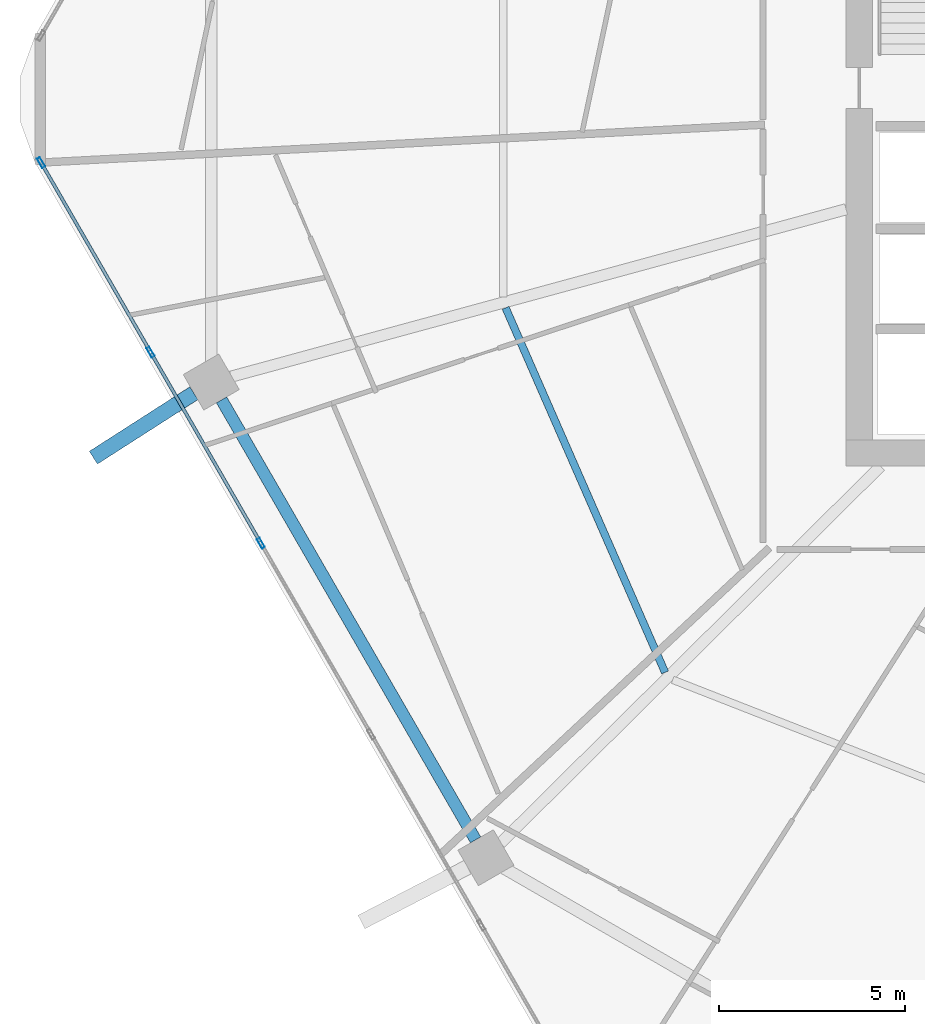
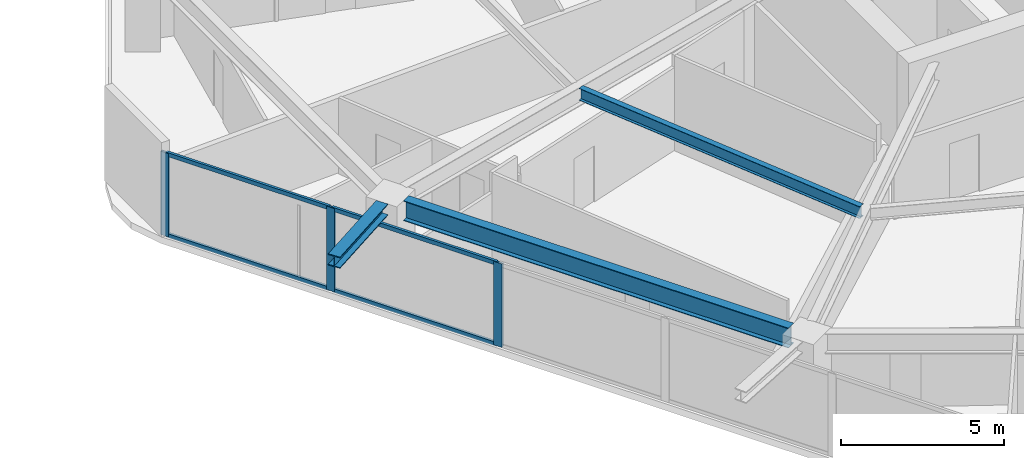
# One storey, part 5 of 33: 7 members, 3 beams, 1 element without a shape of its own.
"""IFC4 building model written with IfcOpenShell, lengths in metres."""

import ifcopenshell
import ifcopenshell.guid

model = None  # the IFC model being written
_history = None  # IfcOwnerHistory: only IFC2X3 demands one
_inside = {}  # id of a spatial element -> (the spatial element, [elements in it])
_under = {}  # id of a project, library or spatial element -> (it, [spatial elements below it])
_declared = {}  # id of a project -> (the project, [libraries it declares])
_typed = {}  # id of a type object -> (the type object, [elements of that type])
_made_of = {}  # id of a material, layer set ... -> (it, [elements and type objects made of it])


def new_model(schema):
    """Start an empty IFC model of exactly this schema.

    Asked for "IFC4X3", IfcOpenShell would pick the latest addendum, in which some entities
    have other attributes; the version numbers below select the first issue.
    IFC2X3 requires an IfcOwnerHistory on every rooted entity: one is made here for all.
    """
    global model, _history
    if schema == "IFC4X3":
        model = ifcopenshell.file(schema_version=(4, 3, 0, 0))
    else:
        model = ifcopenshell.file(schema=schema)
    _inside.clear()
    _under.clear()
    _declared.clear()
    _typed.clear()
    _made_of.clear()
    _history = None
    if model.schema == "IFC2X3":
        org = make("IfcOrganization", Name="unknown")
        user = make(
            "IfcPersonAndOrganization",
            ThePerson=make("IfcPerson", FamilyName="unknown"),
            TheOrganization=org,
        )
        app = make(
            "IfcApplication",
            ApplicationDeveloper=org,
            Version="unknown",
            ApplicationFullName="unknown",
            ApplicationIdentifier="unknown",
        )
        _history = make(
            "IfcOwnerHistory",
            OwningUser=user,
            OwningApplication=app,
            ChangeAction="ADDED",
            CreationDate=0,
        )
    return model


def make(cls, **values):
    """One entity of the class cls with the attributes given. An attribute that is None is left unset."""
    return model.create_entity(
        cls, **{name: value for name, value in values.items() if value is not None}
    )


def rooted(cls, **values):
    """An entity with a GlobalId (a new one), such as an element, a storey or a relation."""
    return make(cls, GlobalId=ifcopenshell.guid.new(), OwnerHistory=_history, **values)


def si_unit(unit_type, name, prefix=None):
    """IfcSIUnit, for example si_unit("LENGTHUNIT", "METRE", prefix="MILLI")."""
    return make("IfcSIUnit", UnitType=unit_type, Prefix=prefix, Name=name)


def assignment(units):
    """IfcUnitAssignment: the units of a project."""
    return None if units is None else make("IfcUnitAssignment", Units=units)


def point(xyz):
    """IfcCartesianPoint."""
    return None if xyz is None else make("IfcCartesianPoint", Coordinates=xyz)


def direction(xyz):
    """IfcDirection."""
    return None if xyz is None else make("IfcDirection", DirectionRatios=xyz)


def frame(location, z_axis=None, x_axis=None):
    """IfcAxis2Placement3D, a coordinate frame: its origin and axes. An axis left out is left unset."""
    return make(
        "IfcAxis2Placement3D",
        Location=point(location),
        Axis=direction(z_axis),
        RefDirection=direction(x_axis),
    )


def frame_2d(location, x_axis=None):
    """IfcAxis2Placement2D, a coordinate frame in the plane: its origin and x axis."""
    return make(
        "IfcAxis2Placement2D", Location=point(location), RefDirection=direction(x_axis)
    )


def origin():
    """The frame at (0, 0, 0) with its axes left unset."""
    return frame((0.0, 0.0, 0.0))


def origin_2d():
    """The frame at (0, 0) in the plane with its x axis left unset."""
    return frame_2d((0.0, 0.0))


def place(relative_to, where):
    """IfcLocalPlacement: puts the frame where relative to a parent placement (None: the world)."""
    return make(
        "IfcLocalPlacement", PlacementRelTo=relative_to, RelativePlacement=where
    )


def context(
    kind, dimensions, precision=None, world=None, true_north=None, identifier=None
):
    """IfcGeometricRepresentationContext, for example the 3D "Model" context."""
    return make(
        "IfcGeometricRepresentationContext",
        ContextIdentifier=identifier,
        ContextType=kind,
        CoordinateSpaceDimension=dimensions,
        Precision=precision,
        WorldCoordinateSystem=world,
        TrueNorth=true_north,
    )


def subcontext(parent, identifier, kind, view, scale=None):
    """IfcGeometricRepresentationSubContext, for example "Body" below "Model"."""
    return make(
        "IfcGeometricRepresentationSubContext",
        ContextIdentifier=identifier,
        ContextType=kind,
        ParentContext=parent,
        TargetScale=scale,
        TargetView=view,
    )


def project(units=None, contexts=None):
    """IfcProject with its units and contexts."""
    return rooted(
        "IfcProject",
        Name="project",
        RepresentationContexts=contexts,
        UnitsInContext=assignment(units),
    )


def spatial(cls, under=None, at=None, **own):
    """A site, building, storey or space (cls), placed at a placement, below another one or the project."""
    s = rooted(cls, ObjectPlacement=at, **own)
    if under is not None:
        _under.setdefault(under.id(), (under, []))[1].append(s)
    return s


def profile(cls, at=None, kind="AREA", **sizes):
    """A parametric profile (cls). Its sizes go by their IFC names, for example OverallWidth=200.0."""
    return make(cls, ProfileType=kind, Position=at, **sizes)


def hollow_rectangle(**sizes):
    """IfcRectangleHollowProfileDef."""
    return profile("IfcRectangleHollowProfileDef", **sizes)


def i_section(**sizes):
    """IfcIShapeProfileDef."""
    return profile("IfcIShapeProfileDef", **sizes)


def extrude(swept, where, along, depth):
    """IfcExtrudedAreaSolid: the profile swept, set in the frame where, extruded along a direction by depth."""
    return make(
        "IfcExtrudedAreaSolid",
        SweptArea=swept,
        Position=where,
        ExtrudedDirection=direction(along),
        Depth=depth,
    )


def shape(context_of_items, identifier, shape_type, items):
    """IfcShapeRepresentation: the items that make up one representation, for example the "Body"."""
    return make(
        "IfcShapeRepresentation",
        ContextOfItems=context_of_items,
        RepresentationIdentifier=identifier,
        RepresentationType=shape_type,
        Items=items,
    )


def material(Name=None, Category=None):
    """IfcMaterial."""
    return make("IfcMaterial", Name=Name, Category=Category)


def material_profile(
    of_material, cross_section, Name=None, Category=None, Priority=None
):
    """IfcMaterialProfile: a cross section and its material."""
    return make(
        "IfcMaterialProfile",
        Name=Name,
        Material=of_material,
        Profile=cross_section,
        Priority=Priority,
        Category=Category,
    )


def profile_set(profiles, Name=None, composite=None):
    """IfcMaterialProfileSet."""
    return make(
        "IfcMaterialProfileSet",
        Name=Name,
        MaterialProfiles=profiles,
        CompositeProfile=composite,
    )


def made_of(thing, what):
    """Note that an element or type object is made of a material, layer set ...; save() writes the relation."""
    if what is not None:
        _made_of.setdefault(what.id(), (what, []))[1].append(thing)
    return thing


def type_object(cls, material=None, **own):
    """A type object (cls), such as IfcWallType, which elements share."""
    return made_of(rooted(cls, **own), material)


def element(
    cls,
    number,
    at=None,
    inside=None,
    cuts=None,
    type_object=None,
    material=None,
    context=None,
    identifier="Body",
    shape_type=None,
    held_by="IfcProductDefinitionShape",
    body=None,
    shapes=None,
    **own,
):
    """One element of the class cls, such as IfcWall. Its Tag is "e" and its number.

    at: its placement. inside: the storey or other place that contains it. cuts: it is an
    opening in that element (IfcRelVoidsElement). A single representation is given by context,
    identifier, shape_type and body (its items); several are given by shapes. held_by: the class
    of the entity that holds the representations. save() writes the other relations.
    """
    e = rooted(cls, Tag="e%d" % number, ObjectPlacement=at, **own)
    if body is not None:
        shapes = [shape(context, identifier, shape_type, body)]
    if shapes is not None:
        e.Representation = make(held_by, Representations=shapes)
    if inside is not None:
        _inside.setdefault(inside.id(), (inside, []))[1].append(e)
    if cuts is not None:
        rooted(
            "IfcRelVoidsElement", RelatingBuildingElement=cuts, RelatedOpeningElement=e
        )
    if type_object is not None:
        _typed.setdefault(type_object.id(), (type_object, []))[1].append(e)
    return made_of(e, material)


def aggregate(whole, parts):
    """IfcRelAggregates: a whole, such as a stair, and the parts it consists of."""
    return rooted("IfcRelAggregates", RelatingObject=whole, RelatedObjects=parts)


def save(model, path):
    """Write the relations noted so far, then the file.

    IfcRelAggregates (storeys below a building ...), IfcRelContainedInSpatialStructure (elements
    in a storey), IfcRelDefinesByType, IfcRelAssociatesMaterial and IfcRelDeclares: one each for
    every whole, place, type object, material and project.
    """
    for whole, parts in _under.values():
        aggregate(whole, parts)
    for where, things in _inside.values():
        rooted(
            "IfcRelContainedInSpatialStructure",
            RelatedElements=things,
            RelatingStructure=where,
        )
    for kind, things in _typed.values():
        rooted("IfcRelDefinesByType", RelatedObjects=things, RelatingType=kind)
    for what, things in _made_of.values():
        rooted("IfcRelAssociatesMaterial", RelatedObjects=things, RelatingMaterial=what)
    for by, libraries in _declared.values():
        rooted("IfcRelDeclares", RelatingContext=by, RelatedDefinitions=libraries)
    model.write(path)


model = new_model("IFC4")

# Units and contexts
model_context = context("Model", 3, precision=1e-05, world=origin(), true_north=direction((0.0, 1.0)))
body_context = subcontext(model_context, "Body", "Model", "MODEL_VIEW")
ifc_project = project(units=[si_unit("LENGTHUNIT", "METRE"), si_unit("AREAUNIT", "SQUARE_METRE"), si_unit("VOLUMEUNIT", "CUBIC_METRE"), si_unit("PLANEANGLEUNIT", "RADIAN"), si_unit("MASSUNIT", "GRAM", prefix="KILO")], contexts=[model_context])

# Site, building, storey
site_placement = place(None, origin())
site = spatial("IfcSite", under=ifc_project, at=site_placement, CompositionType="ELEMENT")
building_placement = place(site_placement, origin())
building = spatial("IfcBuilding", under=site, at=building_placement, Name="Zuhravey Tower", CompositionType="ELEMENT")
storey_placement = place(building_placement, frame((0.0, 0.0, 126.60009765625)))
storey = spatial("IfcBuildingStorey", under=building, at=storey_placement, Name="L31", CompositionType="ELEMENT", Elevation=126.60009765625)

# Curtain wall, members
ifc_material_1 = material(Name="Thermally broken anodised aluminium", Category="aluminium")
curtain_wall_type = type_object("IfcCurtainWallType", Name="Zone 1-2 Residential Curtain Wall CW3", PredefinedType="NOTDEFINED", material=ifc_material_1)
curtain_wall_placement = place(storey_placement, origin())
curtain_wall = element("IfcCurtainWall", 1, at=curtain_wall_placement, inside=storey, type_object=curtain_wall_type, Name="L31 CW3 CW-L31-F4-1", PredefinedType="NOTDEFINED")
ifc_material_2 = material(Name="Anodised aluminium", Category="aluminium")
ifc_material_profile_1 = material_profile(ifc_material_2, hollow_rectangle(XDim=0.090087890625, YDim=0.284912109375, WallThickness=0.0048828125, at=origin_2d()), Name="ALU-RHS-90x285x5")
ifc_profile_set_1 = profile_set([ifc_material_profile_1], Name="Anodised aluminium")
member_type_1 = type_object("IfcMemberType", Name="Curtain-Wall Mullion 90x180", PredefinedType="MULLION", material=ifc_profile_set_1)
member_1_placement = place(storey_placement, frame((9.44140625, 20.083984375, 0.0), z_axis=(0.0, 0.0, 1.0), x_axis=(-0.86602552265, -0.499999794119, 0.0)))
member_1 = element("IfcMember", 2, at=member_1_placement, type_object=member_type_1, Name="CW3 mullion 4", PredefinedType="MULLION", context=body_context, shape_type="SweptSolid", body=[
    extrude(hollow_rectangle(XDim=0.090087890625, YDim=0.284912109375, WallThickness=0.0048828125, at=origin_2d()), origin(), (0.0, 0.0, 1.0), 3.121826171875),
])
member_2_placement = place(storey_placement, frame((6.4814453125, 25.210693359375, 0.0), z_axis=(0.0, 0.0, 1.0), x_axis=(-0.86602552265, -0.499999794119, 0.0)))
member_2 = element("IfcMember", 3, at=member_2_placement, type_object=member_type_1, Name="CW3 mullion 5", PredefinedType="MULLION", context=body_context, shape_type="SweptSolid", body=[
    extrude(hollow_rectangle(XDim=0.090087890625, YDim=0.284912109375, WallThickness=0.0048828125, at=origin_2d()), origin(), (0.0, 0.0, 1.0), 3.121826171875),
])
member_3_placement = place(storey_placement, frame((3.5439453125, 30.298583984375, 0.0), z_axis=(0.0, 0.0, 1.0), x_axis=(-0.86602552265, -0.499999794119, 0.0)))
member_3 = element("IfcMember", 4, at=member_3_placement, type_object=member_type_1, Name="CW3 mullion 6", PredefinedType="MULLION", context=body_context, shape_type="SweptSolid", body=[
    extrude(hollow_rectangle(XDim=0.090087890625, YDim=0.284912109375, WallThickness=0.0048828125, at=origin_2d()), origin(), (0.0, 0.0, 1.0), 3.121826171875),
])
ifc_material_profile_2 = material_profile(ifc_material_2, hollow_rectangle(XDim=0.090087890625, YDim=0.14990234375, WallThickness=0.0048828125, at=origin_2d()), Name="ALU-RHS-90x150x5")
ifc_profile_set_2 = profile_set([ifc_material_profile_2], Name="Anodised aluminium")
member_type_2 = type_object("IfcMemberType", Name="Curtain-Wall Transom 90x150", PredefinedType="USERDEFINED", material=ifc_profile_set_2)
member_4_placement = place(storey_placement, frame((9.418701171875, 20.123046875, 0.044921875), z_axis=(-0.499981042766, 0.866036348472, 0.0), x_axis=(-0.866036348472, -0.499981042766, 0.0)))
member_4 = element("IfcMember", 5, at=member_4_placement, type_object=member_type_2, Name="CW3 transom 4.1", ObjectType="TRANSOM", PredefinedType="USERDEFINED", context=body_context, shape_type="SweptSolid", body=[
    extrude(hollow_rectangle(XDim=0.090087890625, YDim=0.14990234375, WallThickness=0.0048828125, at=origin_2d()), origin(), (0.0, 0.0, 1.0), 5.829833984375),
])
member_5_placement = place(storey_placement, frame((9.418701171875, 20.123046875, 3.076904296875), z_axis=(-0.499981042766, 0.866036348472, 0.0), x_axis=(-0.866036348472, -0.499981042766, 0.0)))
member_5 = element("IfcMember", 6, at=member_5_placement, type_object=member_type_2, Name="CW3 transom 4.2", ObjectType="TRANSOM", PredefinedType="USERDEFINED", context=body_context, shape_type="SweptSolid", body=[
    extrude(hollow_rectangle(XDim=0.090087890625, YDim=0.14990234375, WallThickness=0.0048828125, at=origin_2d()), origin(), (0.0, 0.0, 1.0), 5.829833984375),
])
member_6_placement = place(storey_placement, frame((6.458984375, 25.249755859375, 0.044921875), z_axis=(-0.500024450573, 0.866011286779, 0.0), x_axis=(-0.866011286779, -0.500024450573, 0.0)))
member_6 = element("IfcMember", 7, at=member_6_placement, type_object=member_type_2, Name="CW3 transom 5.1", ObjectType="TRANSOM", PredefinedType="USERDEFINED", context=body_context, shape_type="SweptSolid", body=[
    extrude(hollow_rectangle(XDim=0.090087890625, YDim=0.14990234375, WallThickness=0.0048828125, at=origin_2d()), origin(), (0.0, 0.0, 1.0), 5.784912109375),
])
member_7_placement = place(storey_placement, frame((6.458984375, 25.249755859375, 3.076904296875), z_axis=(-0.500024450573, 0.866011286779, 0.0), x_axis=(-0.866011286779, -0.500024450573, 0.0)))
member_7 = element("IfcMember", 8, at=member_7_placement, type_object=member_type_2, Name="CW3 transom 5.2", ObjectType="TRANSOM", PredefinedType="USERDEFINED", context=body_context, shape_type="SweptSolid", body=[
    extrude(hollow_rectangle(XDim=0.090087890625, YDim=0.14990234375, WallThickness=0.0048828125, at=origin_2d()), origin(), (0.0, 0.0, 1.0), 5.784912109375),
])
aggregate(curtain_wall, [member_1, member_2, member_3, member_4, member_5, member_6, member_7])

# Beams
ifc_material_3 = material(Name="Steel SM460", Category="steel")
ifc_material_profile_3 = material_profile(ifc_material_3, i_section(OverallWidth=0.406982421875, OverallDepth=0.427978515625, WebThickness=0.02001953125, FlangeThickness=0.034912109375, at=origin_2d()), Name="H-428x407x20x35")
ifc_profile_set_3 = profile_set([ifc_material_profile_3], Name="Steel SM460")
beam_type_1 = type_object("IfcBeamType", Name="Exoskeleton Node Tie Beam H428x407", PredefinedType="BEAM", material=ifc_profile_set_3)
beam_1_placement = place(storey_placement, frame((7.64404296875, 24.10888671875, 3.3359375), z_axis=(-0.841742425164, -0.539879328812, 0.0), x_axis=(0.539879328812, -0.841742425164, 0.0)))
element("IfcBeam", 9, at=beam_1_placement, inside=storey, type_object=beam_type_1, Name="L31 Exoskeleton Node Tie NT1-07", PredefinedType="BEAM", context=body_context, shape_type="SweptSolid", body=[
    extrude(i_section(OverallWidth=0.406982421875, OverallDepth=0.427978515625, WebThickness=0.02001953125, FlangeThickness=0.034912109375, at=origin_2d()), origin(), (0.0, 0.0, 1.0), 3.204345703125),
])
ifc_material_4 = material(Name="Steel SM355", Category="steel")
ifc_material_profile_4 = material_profile(ifc_material_4, i_section(OverallWidth=0.320068359375, OverallDepth=0.75, WebThickness=0.013916015625, FlangeThickness=0.02490234375, at=origin_2d()), Name="H-750x320x14x25")
ifc_profile_set_4 = profile_set([ifc_material_profile_4], Name="Steel SM355")
beam_type_2 = type_object("IfcBeamType", Name="Perimeter Ring Beam H750x320", PredefinedType="BEAM", material=ifc_profile_set_4)
beam_2_placement = place(storey_placement, frame((8.387451171875, 23.929443359375, 3.1748046875), z_axis=(0.500008177929, -0.866020682204, 0.0), x_axis=(0.866020682204, 0.500008177929, 0.0)))
element("IfcBeam", 10, at=beam_2_placement, inside=storey, type_object=beam_type_2, Name="L31 PB1 BM-L31-PB-07", PredefinedType="BEAM", context=body_context, shape_type="SweptSolid", body=[
    extrude(i_section(OverallWidth=0.320068359375, OverallDepth=0.75, WebThickness=0.013916015625, FlangeThickness=0.02490234375, at=origin_2d()), origin(), (0.0, 0.0, 1.0), 13.634033203125),
])
ifc_material_profile_5 = material_profile(ifc_material_4, i_section(OverallWidth=0.199951171875, OverallDepth=0.449951171875, WebThickness=0.009033203125, FlangeThickness=0.013916015625, at=origin_2d()), Name="H-450x200x9x14")
ifc_profile_set_5 = profile_set([ifc_material_profile_5], Name="Steel SM355")
beam_type_3 = type_object("IfcBeamType", Name="Secondary Floor Joist H450x200", PredefinedType="JOIST", material=ifc_profile_set_5)
beam_3_placement = place(storey_placement, frame((16.00927734375, 26.400390625, 3.324951171875), z_axis=(0.400786454617, -0.916171500209, 0.0), x_axis=(0.916171500209, 0.400786454617, 0.0)))
element("IfcBeam", 11, at=beam_3_placement, inside=storey, type_object=beam_type_3, Name="L31 SJ1 BM-L31-SJ-07-1", PredefinedType="JOIST", context=body_context, shape_type="SweptSolid", body=[
    extrude(i_section(OverallWidth=0.199951171875, OverallDepth=0.449951171875, WebThickness=0.009033203125, FlangeThickness=0.013916015625, at=origin_2d()), origin(), (0.0, 0.0, 1.0), 10.6796875),
])

save(model, "model.ifc")
